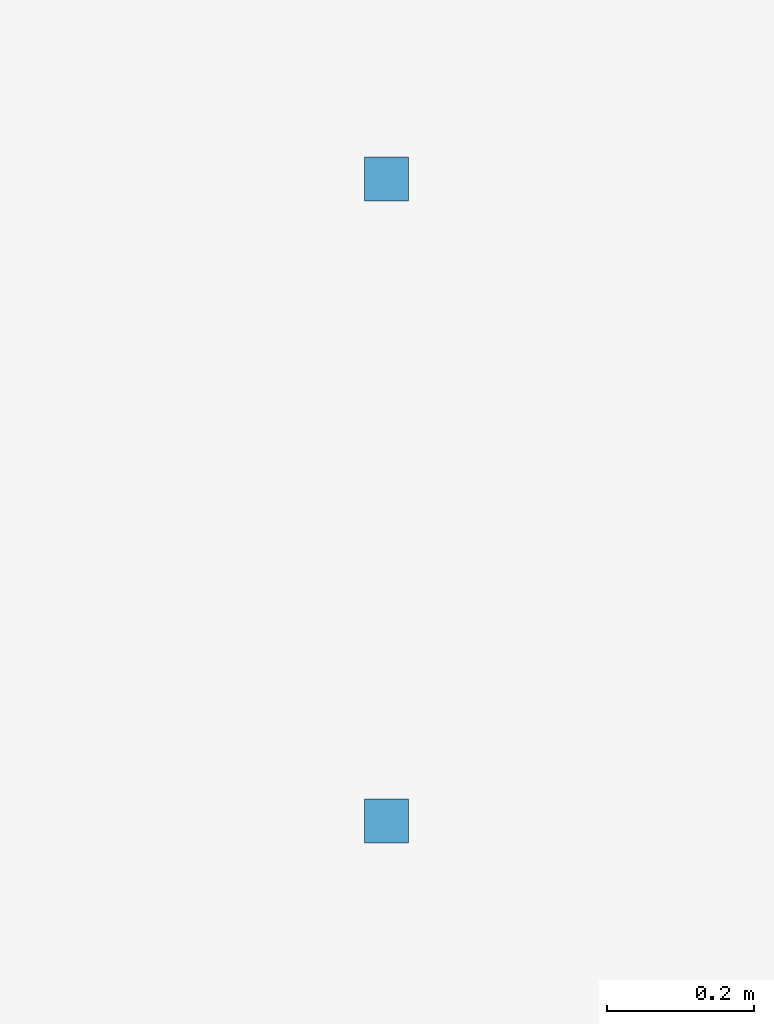
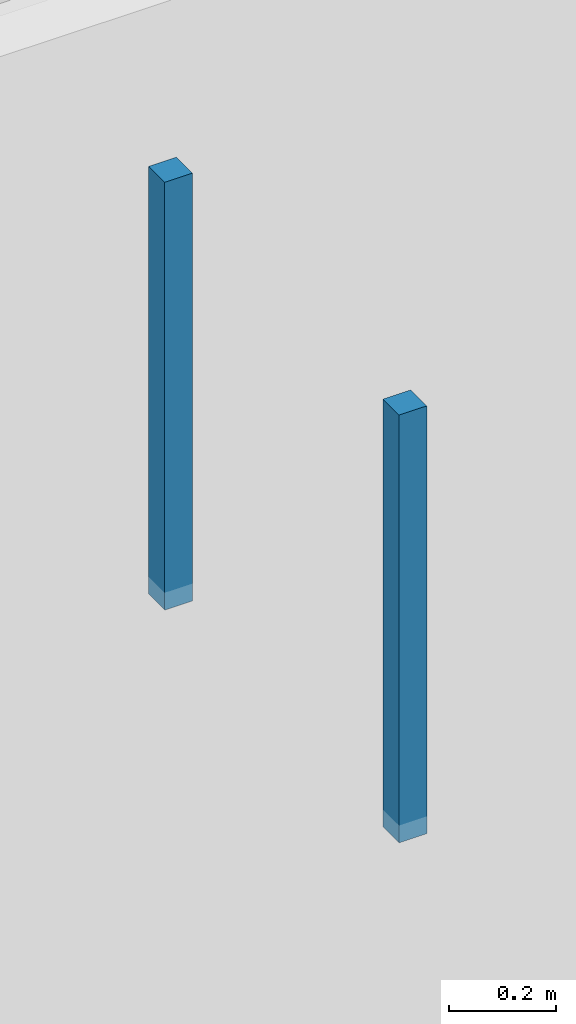
# One storey, part 69 of 128: 2 discrete accessories.
"""IFC4 building model written with IfcOpenShell, lengths in metres."""

from ifc_helpers import new_model, si_unit, direction, frame, origin, origin_2d, place, context, subcontext, project, spatial, rectangle, extrude, material, type_object, element, save


model = new_model("IFC4")

# Units and contexts
model_context = context("Model", 3, precision=1e-05, world=origin(), true_north=direction((0.0, 1.0)))
body_context = subcontext(model_context, "Body", "Model", "MODEL_VIEW")
ifc_project = project(units=[si_unit("LENGTHUNIT", "METRE"), si_unit("AREAUNIT", "SQUARE_METRE"), si_unit("VOLUMEUNIT", "CUBIC_METRE"), si_unit("PLANEANGLEUNIT", "RADIAN"), si_unit("MASSUNIT", "GRAM", prefix="KILO")], contexts=[model_context])

# Site, building, storey
site_placement = place(None, origin())
site = spatial("IfcSite", under=ifc_project, at=site_placement, CompositionType="ELEMENT")
building_placement = place(site_placement, origin())
building = spatial("IfcBuilding", under=site, at=building_placement, Name="Telukmera Botanical Conservatory", CompositionType="ELEMENT")
storey_placement = place(building_placement, frame((0.0, 0.0, 5.39990234375)))
storey = spatial("IfcBuildingStorey", under=building, at=storey_placement, Name="L01", CompositionType="ELEMENT", Elevation=5.39990234375)

# Discrete accessories
ifc_material = material(Name="Steel S355", Category="steel")
discrete_accessory_type = type_object("IfcDiscreteAccessoryType", Name="ACC-CEIL-HGR", PredefinedType="BRACKET", material=ifc_material)
for number, where, z_axis, x_axis, name in (
    (1, (32.114013671875, 19.675048828125, 3.610107421875), (0.0, 0.0, 1.0), (1.0, 0.0, 0.0), "L01 Suspended Ceiling Hanger Rod 012-1"),
    (2, (32.114013671875, 20.550048828125, 3.610107421875), (0.0, 0.0, 1.0), (1.0, 0.0, 0.0), "L01 Suspended Ceiling Hanger Rod 012-2"),
):
    element("IfcDiscreteAccessory", number, at=place(storey_placement, frame(where, z_axis=z_axis, x_axis=x_axis)), inside=storey, type_object=discrete_accessory_type, Name=name, PredefinedType="BRACKET", context=body_context, shape_type="SweptSolid", body=[
        extrude(rectangle(XDim=0.06005859375, YDim=0.06005859375, at=origin_2d()), origin(), (0.0, 0.0, 1.0), 0.97509765625),
    ])

save(model, "model.ifc")
